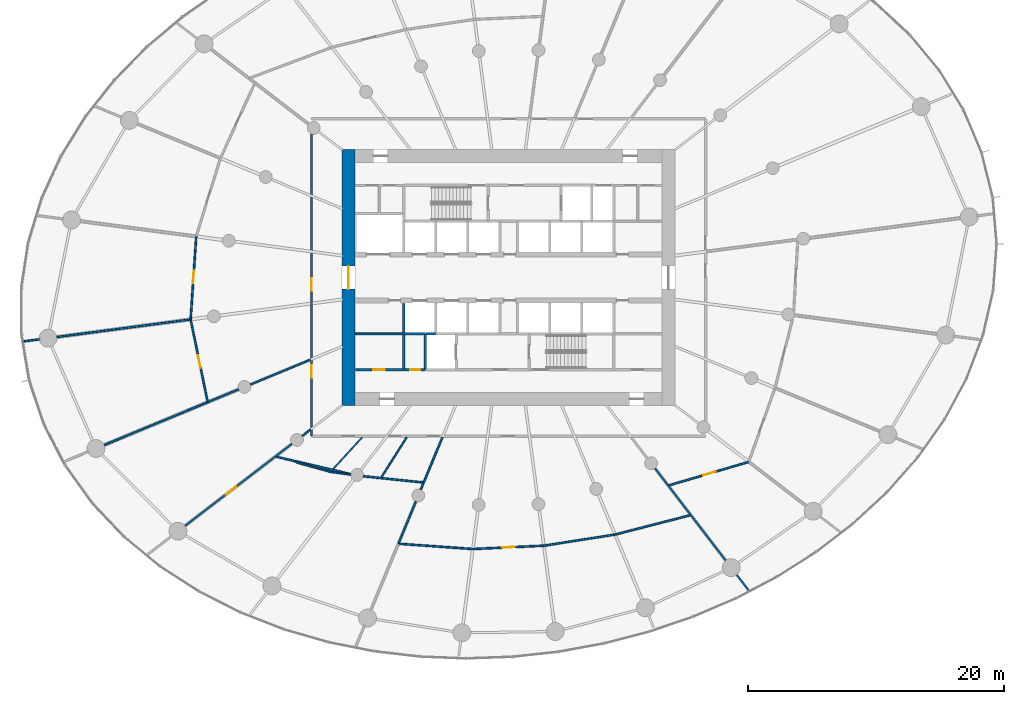
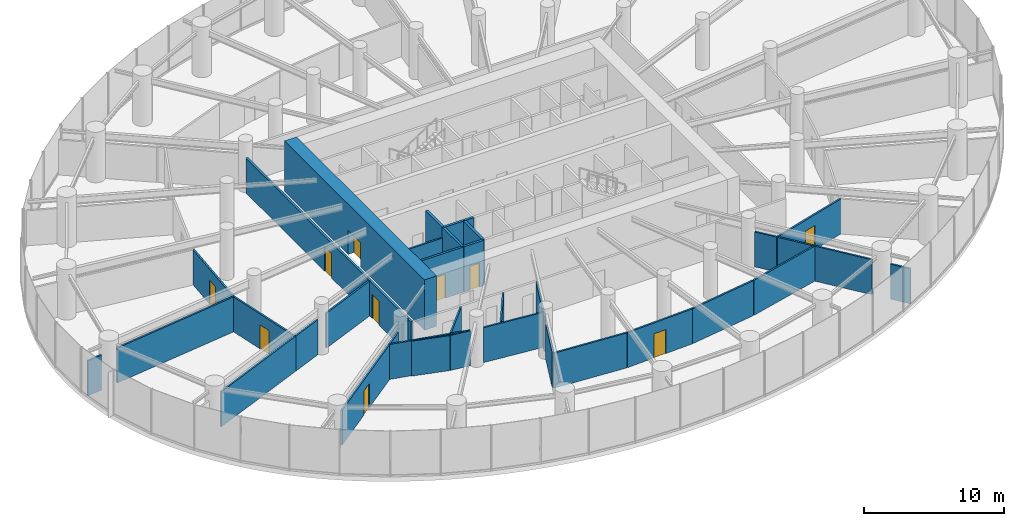
# One storey, part 12 of 19: 38 walls, 10 doors, 10 openings.
"""IFC4 building model written with IfcOpenShell, lengths in metres."""

from ifc_helpers import new_model, si_unit, direction, frame, frame_2d, origin, place, context, subcontext, project, spatial, rectangle, extrude, source, transform, mapped, material, layer, layer_set, type_object, element, fill, save


model = new_model("IFC4")

# Units and contexts
model_context = context("Model", 3, precision=1e-05, world=origin(), true_north=direction((0.0, 1.0)))
body_context = subcontext(model_context, "Body", "Model", "MODEL_VIEW")
ifc_project = project(units=[si_unit("LENGTHUNIT", "METRE"), si_unit("AREAUNIT", "SQUARE_METRE"), si_unit("VOLUMEUNIT", "CUBIC_METRE"), si_unit("PLANEANGLEUNIT", "RADIAN"), si_unit("MASSUNIT", "GRAM", prefix="KILO")], contexts=[model_context])

# Site, building, storey
site_placement = place(None, origin())
site = spatial("IfcSite", under=ifc_project, at=site_placement, CompositionType="ELEMENT")
building_placement = place(site_placement, origin())
building = spatial("IfcBuilding", under=site, at=building_placement, Name="Spindrift Exchange Tower", CompositionType="ELEMENT")
storey_placement = place(building_placement, frame((0.0, 0.0, 49.0)))
storey = spatial("IfcBuildingStorey", under=building, at=storey_placement, Name="L11", CompositionType="ELEMENT", Elevation=49.0)

# Wall, opening, door
ifc_material_1 = material(Name="Concrete 80 MPa", Category="concrete")
ifc_layer_1 = layer(ifc_material_1, 1.0)
ifc_layer_set_1 = layer_set([ifc_layer_1], Name="RC Core Wall 1000 Concrete 80 MPa")
wall_type_1 = type_object("IfcWallType", Name="RC Core Wall 1000 Concrete 80 MPa", PredefinedType="SHEAR", material=ifc_layer_set_1)
wall_1_placement = place(storey_placement, frame((39.5, 58.0, 0.0), z_axis=(0.0, 0.0, 1.0), x_axis=(0.0, -1.0, 0.0)))
wall_1 = element("IfcWall", 1, at=wall_1_placement, inside=storey, type_object=wall_type_1, Name="Core wall W L11", PredefinedType="SHEAR", context=body_context, shape_type="SweptSolid", body=[
    extrude(rectangle(XDim=20.0, YDim=1.0, at=frame_2d((10.0, 0.0))), origin(), (0.0, 0.0, 1.0), 4.39990234375),
])
opening_1_placement = place(wall_1_placement, frame((9.10009765625, 0.0, 0.0)))
opening_1 = element("IfcOpeningElement", 2, at=opening_1_placement, cuts=wall_1, Name="Opening L11-D1", PredefinedType="OPENING", context=body_context, shape_type="SweptSolid", body=[
    extrude(rectangle(XDim=1.800048828125, YDim=2.10009765625, at=frame_2d((0.89990234375, 1.050048828125))), frame((0.0, 0.510009765625, 0.0), z_axis=(0.0, -1.0, 0.0), x_axis=(1.0, 0.0, 0.0)), (0.0, 0.0, 1.0), 1.02001953125),
])
ifc_material_2 = material(Name="Timber-core fire door", Category="wood")
door_type_1 = type_object("IfcDoorType", Name="DR-LOBBY-1800", OperationType="NOTDEFINED", PredefinedType="DOOR", material=ifc_material_2)
shared_shape_1 = source(origin(), body_context, "Body", "SweptSolid", [
    extrude(rectangle(XDim=1.800048828125, YDim=2.10009765625, at=frame_2d((0.89990234375, 1.050048828125))), frame((0.0, 0.02490234375, 0.0), z_axis=(0.0, -1.0, 0.0), x_axis=(1.0, 0.0, 0.0)), (0.0, 0.0, 1.0), 0.050048828125),
])
door_1_placement = place(opening_1_placement, origin())
door_1 = element("IfcDoor", 3, at=door_1_placement, inside=storey, type_object=door_type_1, Name="L11 Lobby door 1", OperationType="SINGLE_SWING_RIGHT", OverallHeight=2.10009765625, OverallWidth=1.800048828125, PredefinedType="DOOR", context=body_context, shape_type="MappedRepresentation", body=[
    mapped(shared_shape_1, transform((0.0, 0.0, 0.0), scale=1.0)),
])
fill(opening_1, door_1)

# Wall, openings, doors
ifc_material_3 = material(Name="Fire-rated plasterboard partition", Category="gypsum")
ifc_layer_2 = layer(ifc_material_3, 0.179931640625)
ifc_layer_set_2 = layer_set([ifc_layer_2], Name="W-CORR-180")
wall_type_2 = type_object("IfcWallType", Name="W-CORR-180", PredefinedType="PARTITIONING", material=ifc_layer_set_2)
wall_2_placement = place(storey_placement, frame((36.60009765625, 35.6298828125, 0.0), z_axis=(0.0, 0.0, 1.0), x_axis=(0.0, 1.0, 0.0)))
wall_2 = element("IfcWall", 4, at=wall_2_placement, inside=storey, type_object=wall_type_2, Name="L11 Partition wall 60", PredefinedType="PARTITIONING", context=body_context, shape_type="SweptSolid", body=[
    extrude(rectangle(XDim=23.58251953125, YDim=0.179931640625, at=frame_2d((11.791259765625, 0.0))), origin(), (0.0, 0.0, 1.0), 3.050048828125),
])
opening_2_placement = place(wall_2_placement, frame((11.33251953125, 0.0, 0.0)))
opening_2 = element("IfcOpeningElement", 5, at=opening_2_placement, cuts=wall_2, Name="Opening L11-D40", PredefinedType="OPENING", context=body_context, shape_type="SweptSolid", body=[
    extrude(rectangle(XDim=1.0, YDim=2.10009765625, at=frame_2d((0.5, 1.050048828125))), frame((0.0, 0.099853515625, 0.0), z_axis=(0.0, -1.0, 0.0), x_axis=(1.0, 0.0, 0.0)), (0.0, 0.0, 1.0), 0.199951171875),
])
opening_3_placement = place(wall_2_placement, frame((4.532470703125, 0.0, 0.0)))
opening_3 = element("IfcOpeningElement", 6, at=opening_3_placement, cuts=wall_2, Name="Opening L11-D45", PredefinedType="OPENING", context=body_context, shape_type="SweptSolid", body=[
    extrude(rectangle(XDim=1.0, YDim=2.10009765625, at=frame_2d((0.5, 1.050048828125))), frame((0.0, 0.099853515625, 0.0), z_axis=(0.0, -1.0, 0.0), x_axis=(1.0, 0.0, 0.0)), (0.0, 0.0, 1.0), 0.199951171875),
])
door_type_2 = type_object("IfcDoorType", Name="DR-ROOM-1000", OperationType="NOTDEFINED", PredefinedType="DOOR", material=ifc_material_2)
shared_shape_2 = source(origin(), body_context, "Body", "SweptSolid", [
    extrude(rectangle(XDim=1.0, YDim=2.10009765625, at=frame_2d((0.5, 1.050048828125))), frame((0.0, 0.02490234375, 0.0), z_axis=(0.0, -1.0, 0.0), x_axis=(1.0, 0.0, 0.0)), (0.0, 0.0, 1.0), 0.050048828125),
])
door_2_placement = place(opening_2_placement, origin())
door_2 = element("IfcDoor", 7, at=door_2_placement, inside=storey, type_object=door_type_2, Name="L11 Door 40", OperationType="SINGLE_SWING_LEFT", OverallHeight=2.10009765625, OverallWidth=1.0, PredefinedType="DOOR", context=body_context, shape_type="MappedRepresentation", body=[
    mapped(shared_shape_2, transform((0.0, 0.0, 0.0), scale=1.0)),
])
fill(opening_2, door_2)
door_3_placement = place(opening_3_placement, origin())
door_3 = element("IfcDoor", 8, at=door_3_placement, inside=storey, type_object=door_type_2, Name="L11 Door 45", OperationType="SINGLE_SWING_RIGHT", OverallHeight=2.10009765625, OverallWidth=1.0, PredefinedType="DOOR", context=body_context, shape_type="MappedRepresentation", body=[
    mapped(shared_shape_2, transform((0.0, 0.0, 0.0), scale=1.0)),
])
fill(opening_3, door_3)

# Wall, opening, door
wall_3_placement = place(storey_placement, frame((40.02001953125, 40.800048828125, 0.0), z_axis=(0.0, 0.0, 1.0), x_axis=(1.0, 0.0, 0.0)))
wall_3 = element("IfcWall", 9, at=wall_3_placement, inside=storey, type_object=wall_type_2, Name="L11 Partition wall 61", PredefinedType="PARTITIONING", context=body_context, shape_type="SweptSolid", body=[
    extrude(rectangle(XDim=3.75, YDim=0.179931640625, at=frame_2d((1.875, 0.0))), origin(), (0.0, 0.0, 1.0), 3.949951171875),
])
opening_4_placement = place(wall_3_placement, frame((1.39990234375, 0.0, 0.0)))
opening_4 = element("IfcOpeningElement", 10, at=opening_4_placement, cuts=wall_3, Name="Opening L11-D48", PredefinedType="OPENING", context=body_context, shape_type="SweptSolid", body=[
    extrude(rectangle(XDim=0.89990234375, YDim=2.10009765625, at=frame_2d((0.449951171875, 1.050048828125))), frame((0.0, 0.099853515625, 0.0), z_axis=(0.0, -1.0, 0.0), x_axis=(1.0, 0.0, 0.0)), (0.0, 0.0, 1.0), 0.199951171875),
])
ifc_material_4 = material(Name="Steel access door", Category="steel")
door_type_3 = type_object("IfcDoorType", Name="DR-RISER-900", OperationType="NOTDEFINED", PredefinedType="DOOR", material=ifc_material_4)
shared_shape_3 = source(origin(), body_context, "Body", "SweptSolid", [
    extrude(rectangle(XDim=0.89990234375, YDim=2.10009765625, at=frame_2d((0.449951171875, 1.050048828125))), frame((0.0, 0.02490234375, 0.0), z_axis=(0.0, -1.0, 0.0), x_axis=(1.0, 0.0, 0.0)), (0.0, 0.0, 1.0), 0.050048828125),
])
door_4_placement = place(opening_4_placement, origin())
door_4 = element("IfcDoor", 11, at=door_4_placement, inside=storey, type_object=door_type_3, Name="L11 Riser door 48", OperationType="SINGLE_SWING_LEFT", OverallHeight=2.10009765625, OverallWidth=0.89990234375, PredefinedType="DOOR", context=body_context, shape_type="MappedRepresentation", body=[
    mapped(shared_shape_3, transform((0.0, 0.0, 0.0), scale=1.0)),
])
fill(opening_4, door_4)

# Wall
ifc_layer_3 = layer(ifc_material_3, 0.139892578125)
ifc_layer_set_3 = layer_set([ifc_layer_3], Name="W-PART-140")
wall_type_3 = type_object("IfcWallType", Name="W-PART-140", PredefinedType="PARTITIONING", material=ifc_layer_set_3)
wall_4_placement = place(storey_placement, frame((27.150634765625, 44.728515625, 0.0), z_axis=(0.0, 0.0, 1.0), x_axis=(-0.991445773007, -0.130519267494, 0.0)))
element("IfcWall", 12, at=wall_4_placement, inside=storey, type_object=wall_type_3, Name="L11 Partition wall 67", PredefinedType="PARTITIONING", context=body_context, shape_type="SweptSolid", body=[
    extrude(rectangle(XDim=10.532958984375, YDim=0.139892578125, at=frame_2d((5.2666015625, 0.0))), origin(), (0.0, 0.0, 1.0), 3.050048828125),
])

# Wall, opening, door
wall_5_placement = place(storey_placement, frame((33.775634765625, 34.015869140625, 0.0), z_axis=(0.0, 0.0, 1.0), x_axis=(-0.793363616038, -0.608748037161, 0.0)))
wall_5 = element("IfcWall", 13, at=wall_5_placement, inside=storey, type_object=wall_type_3, Name="L11 Partition wall 71", PredefinedType="PARTITIONING", context=body_context, shape_type="SweptSolid", body=[
    extrude(rectangle(XDim=8.889404296875, YDim=0.139892578125, at=frame_2d((4.44482421875, 0.0))), origin(), (0.0, 0.0, 1.0), 3.050048828125),
])
opening_5_placement = place(wall_5_placement, frame((3.85009765625, 0.0, 0.0)))
opening_5 = element("IfcOpeningElement", 14, at=opening_5_placement, cuts=wall_5, Name="Opening L11-D29", PredefinedType="OPENING", context=body_context, shape_type="SweptSolid", body=[
    extrude(rectangle(XDim=1.0, YDim=2.10009765625, at=frame_2d((0.5, 1.050048828125))), frame((0.0, 0.079833984375, 0.0), z_axis=(0.0, -1.0, 0.0), x_axis=(1.0, 0.0, 0.0)), (0.0, 0.0, 1.0), 0.159912109375),
])
door_5_placement = place(opening_5_placement, origin())
door_5 = element("IfcDoor", 15, at=door_5_placement, inside=storey, type_object=door_type_2, Name="L11 Door 29", OperationType="SINGLE_SWING_RIGHT", OverallHeight=2.10009765625, OverallWidth=1.0, PredefinedType="DOOR", context=body_context, shape_type="MappedRepresentation", body=[
    mapped(shared_shape_2, transform((0.0, 0.0, 0.0), scale=1.0)),
])
fill(opening_5, door_5)

# Wall
wall_6_placement = place(storey_placement, frame((28.489013671875, 38.261474609375, 0.0), z_axis=(0.0, 0.0, 1.0), x_axis=(-0.923879491354, -0.382683531727, 0.0)))
element("IfcWall", 16, at=wall_6_placement, inside=storey, type_object=wall_type_3, Name="L11 Partition wall 73", PredefinedType="PARTITIONING", context=body_context, shape_type="SweptSolid", body=[
    extrude(rectangle(XDim=8.7529296875, YDim=0.139892578125, at=frame_2d((4.37646484375, 0.0))), origin(), (0.0, 0.0, 1.0), 3.050048828125),
])

# Wall, opening, door
wall_7_placement = place(storey_placement, frame((28.48291015625, 38.290771484375, 0.0), z_axis=(0.0, 0.0, 1.0), x_axis=(-0.202647546794, 0.979251740758, 0.0)))
wall_7 = element("IfcWall", 17, at=wall_7_placement, inside=storey, type_object=wall_type_3, Name="L11 Partition wall 78", PredefinedType="PARTITIONING", context=body_context, shape_type="SweptSolid", body=[
    extrude(rectangle(XDim=6.544189453125, YDim=0.139892578125, at=frame_2d((3.27197265625, 0.0))), origin(), (0.0, 0.0, 1.0), 3.050048828125),
])
opening_6_placement = place(wall_7_placement, frame((2.694091796875, 0.0, 0.0)))
opening_6 = element("IfcOpeningElement", 18, at=opening_6_placement, cuts=wall_7, Name="Opening L11-D44", PredefinedType="OPENING", context=body_context, shape_type="SweptSolid", body=[
    extrude(rectangle(XDim=1.0, YDim=2.10009765625, at=frame_2d((0.5, 1.050048828125))), frame((0.0, 0.079833984375, 0.0), z_axis=(0.0, -1.0, 0.0), x_axis=(1.0, 0.0, 0.0)), (0.0, 0.0, 1.0), 0.159912109375),
])
door_6_placement = place(opening_6_placement, origin())
door_6 = element("IfcDoor", 19, at=door_6_placement, inside=storey, type_object=door_type_2, Name="L11 Door 44", OperationType="SINGLE_SWING_LEFT", OverallHeight=2.10009765625, OverallWidth=1.0, PredefinedType="DOOR", context=body_context, shape_type="MappedRepresentation", body=[
    mapped(shared_shape_2, transform((0.0, 0.0, 0.0), scale=1.0)),
])
fill(opening_6, door_6)

wall_8_placement = place(storey_placement, frame((70.768798828125, 33.59814453125, 0.0), z_axis=(0.0, 0.0, 1.0), x_axis=(-0.959164410747, -0.282849134974, 0.0)))
wall_8 = element("IfcWall", 20, at=wall_8_placement, inside=storey, type_object=wall_type_3, Name="L11 Partition wall 79", PredefinedType="PARTITIONING", context=body_context, shape_type="SweptSolid", body=[
    extrude(rectangle(XDim=6.561767578125, YDim=0.139892578125, at=frame_2d((3.28076171875, 0.0))), origin(), (0.0, 0.0, 1.0), 3.050048828125),
])
opening_7_placement = place(wall_8_placement, frame((2.7119140625, 0.0, 0.0)))
opening_7 = element("IfcOpeningElement", 21, at=opening_7_placement, cuts=wall_8, Name="Opening L11-D31", PredefinedType="OPENING", context=body_context, shape_type="SweptSolid", body=[
    extrude(rectangle(XDim=1.0, YDim=2.10009765625, at=frame_2d((0.5, 1.050048828125))), frame((0.0, 0.079833984375, 0.0), z_axis=(0.0, -1.0, 0.0), x_axis=(1.0, 0.0, 0.0)), (0.0, 0.0, 1.0), 0.159912109375),
])
door_7_placement = place(opening_7_placement, origin())
door_7 = element("IfcDoor", 22, at=door_7_placement, inside=storey, type_object=door_type_2, Name="L11 Door 31", OperationType="SINGLE_SWING_RIGHT", OverallHeight=2.10009765625, OverallWidth=1.0, PredefinedType="DOOR", context=body_context, shape_type="MappedRepresentation", body=[
    mapped(shared_shape_2, transform((0.0, 0.0, 0.0), scale=1.0)),
])
fill(opening_7, door_7)

wall_9_placement = place(storey_placement, frame((27.15283203125, 44.758544921875, 0.0), z_axis=(0.0, 0.0, 1.0), x_axis=(0.067555628739, 0.997715509063, 0.0)))
wall_9 = element("IfcWall", 23, at=wall_9_placement, inside=storey, type_object=wall_type_3, Name="L11 Partition wall 80", PredefinedType="PARTITIONING", context=body_context, shape_type="SweptSolid", body=[
    extrude(rectangle(XDim=6.43994140625, YDim=0.139892578125, at=frame_2d((3.219970703125, 0.0))), origin(), (0.0, 0.0, 1.0), 3.050048828125),
])
opening_8_placement = place(wall_9_placement, frame((2.7900390625, 0.0, 0.0)))
opening_8 = element("IfcOpeningElement", 24, at=opening_8_placement, cuts=wall_9, Name="Opening L11-D43", PredefinedType="OPENING", context=body_context, shape_type="SweptSolid", body=[
    extrude(rectangle(XDim=1.0, YDim=2.10009765625, at=frame_2d((0.5, 1.050048828125))), frame((0.0, 0.079833984375, 0.0), z_axis=(0.0, -1.0, 0.0), x_axis=(1.0, 0.0, 0.0)), (0.0, 0.0, 1.0), 0.159912109375),
])
door_8_placement = place(opening_8_placement, origin())
door_8 = element("IfcDoor", 25, at=door_8_placement, inside=storey, type_object=door_type_2, Name="L11 Door 43", OperationType="SINGLE_SWING_RIGHT", OverallHeight=2.10009765625, OverallWidth=1.0, PredefinedType="DOOR", context=body_context, shape_type="MappedRepresentation", body=[
    mapped(shared_shape_2, transform((0.0, 0.0, 0.0), scale=1.0)),
])
fill(opening_8, door_8)

# Walls
wall_10_placement = place(storey_placement, frame((60.319091796875, 27.91552734375, 0.0), z_axis=(0.0, 0.0, 1.0), x_axis=(0.968340865999, 0.24963166313, 0.0)))
element("IfcWall", 26, at=wall_10_placement, inside=storey, type_object=wall_type_3, Name="L11 Partition wall 84", PredefinedType="PARTITIONING", context=body_context, shape_type="SweptSolid", body=[
    extrude(rectangle(XDim=6.114501953125, YDim=0.139892578125, at=frame_2d((3.05712890625, 0.0))), origin(), (0.0, 0.0, 1.0), 3.050048828125),
])
wall_11_placement = place(storey_placement, frame((33.8046875, 34.009033203125, 0.0), z_axis=(0.0, 0.0, 1.0), x_axis=(0.973632222489, -0.22812342127, 0.0)))
element("IfcWall", 27, at=wall_11_placement, inside=storey, type_object=wall_type_3, Name="L11 Partition wall 85", PredefinedType="PARTITIONING", context=body_context, shape_type="SweptSolid", body=[
    extrude(rectangle(XDim=6.017822265625, YDim=0.139892578125, at=frame_2d((3.0087890625, 0.0))), origin(), (0.0, 0.0, 1.0), 3.050048828125),
])
wall_12_placement = place(storey_placement, frame((43.3837890625, 27.198974609375, 0.0), z_axis=(0.0, 0.0, 1.0), x_axis=(0.997508340925, -0.070548634182, 0.0)))
element("IfcWall", 28, at=wall_12_placement, inside=storey, type_object=wall_type_3, Name="L11 Partition wall 87", PredefinedType="PARTITIONING", context=body_context, shape_type="SweptSolid", body=[
    extrude(rectangle(XDim=5.838134765625, YDim=0.139892578125, at=frame_2d((2.9189453125, 0.0))), origin(), (0.0, 0.0, 1.0), 3.050048828125),
])
wall_13_placement = place(storey_placement, frame((54.758544921875, 27.047119140625, 0.0), z_axis=(0.0, 0.0, 1.0), x_axis=(0.98802429514, 0.154298386943, 0.0)))
element("IfcWall", 29, at=wall_13_placement, inside=storey, type_object=wall_type_3, Name="L11 Partition wall 89", PredefinedType="PARTITIONING", context=body_context, shape_type="SweptSolid", body=[
    extrude(rectangle(XDim=5.59814453125, YDim=0.139892578125, at=frame_2d((2.799072265625, 0.0))), origin(), (0.0, 0.0, 1.0), 3.050048828125),
])

# Wall, opening, door
wall_14_placement = place(storey_placement, frame((54.728515625, 27.045654296875, 0.0), z_axis=(0.0, 0.0, 1.0), x_axis=(-0.998905899041, -0.046765423781, 0.0)))
wall_14 = element("IfcWall", 30, at=wall_14_placement, inside=storey, type_object=wall_type_3, Name="L11 Partition wall 91", PredefinedType="PARTITIONING", context=body_context, shape_type="SweptSolid", body=[
    extrude(rectangle(XDim=5.497314453125, YDim=0.139892578125, at=frame_2d((2.74853515625, 0.0))), origin(), (0.0, 0.0, 1.0), 3.050048828125),
])
opening_9_placement = place(wall_14_placement, frame((2.247314453125, 0.0, 0.0)))
opening_9 = element("IfcOpeningElement", 31, at=opening_9_placement, cuts=wall_14, Name="Opening L11-D28", PredefinedType="OPENING", context=body_context, shape_type="SweptSolid", body=[
    extrude(rectangle(XDim=1.0, YDim=2.10009765625, at=frame_2d((0.5, 1.050048828125))), frame((0.0, 0.079833984375, 0.0), z_axis=(0.0, -1.0, 0.0), x_axis=(1.0, 0.0, 0.0)), (0.0, 0.0, 1.0), 0.159912109375),
])
door_9_placement = place(opening_9_placement, origin())
door_9 = element("IfcDoor", 32, at=door_9_placement, inside=storey, type_object=door_type_2, Name="L11 Door 28", OperationType="SINGLE_SWING_LEFT", OverallHeight=2.10009765625, OverallWidth=1.0, PredefinedType="DOOR", context=body_context, shape_type="MappedRepresentation", body=[
    mapped(shared_shape_2, transform((0.0, 0.0, 0.0), scale=1.0)),
])
fill(opening_9, door_9)

# Walls
wall_15_placement = place(storey_placement, frame((36.510009765625, 41.583740234375, 0.0), z_axis=(0.0, 0.0, 1.0), x_axis=(-0.923890025086, -0.382658100067, 0.0)))
element("IfcWall", 33, at=wall_15_placement, inside=storey, type_object=wall_type_3, Name="L11 Partition wall 97", PredefinedType="PARTITIONING", context=body_context, shape_type="SweptSolid", body=[
    extrude(rectangle(XDim=5.068359375, YDim=0.139892578125, at=frame_2d((2.5341796875, 0.0))), origin(), (0.0, 0.0, 1.0), 3.050048828125),
])
wall_16_placement = place(storey_placement, frame((40.65869140625, 32.47216796875, 0.0), z_axis=(0.0, 0.0, 1.0), x_axis=(0.994613201527, -0.103656062762, 0.0)))
element("IfcWall", 34, at=wall_16_placement, inside=storey, type_object=wall_type_3, Name="L11 Partition wall 99", PredefinedType="PARTITIONING", context=body_context, shape_type="SweptSolid", body=[
    extrude(rectangle(XDim=4.731689453125, YDim=0.139892578125, at=frame_2d((2.36572265625, 0.0))), origin(), (0.0, 0.0, 1.0), 3.050048828125),
])
wall_17_placement = place(storey_placement, frame((66.25830078125, 29.418212890625, 0.0), z_axis=(0.0, 0.0, 1.0), x_axis=(0.608774632027, -0.793343209085, 0.0)))
element("IfcWall", 35, at=wall_17_placement, inside=storey, type_object=wall_type_3, Name="L11 Partition wall 101", PredefinedType="PARTITIONING", context=body_context, shape_type="SweptSolid", body=[
    extrude(rectangle(XDim=4.451171875, YDim=0.139892578125, at=frame_2d((2.2255859375, 0.0))), origin(), (0.0, 0.0, 1.0), 3.050048828125),
])
wall_18_placement = place(storey_placement, frame((46.826416015625, 35.510009765625, 0.0), z_axis=(0.0, 0.0, 1.0), x_axis=(-0.382683759209, -0.923879397128, 0.0)))
element("IfcWall", 36, at=wall_18_placement, inside=storey, type_object=wall_type_3, Name="L11 Partition wall 102", PredefinedType="PARTITIONING", context=body_context, shape_type="SweptSolid", body=[
    extrude(rectangle(XDim=3.788818359375, YDim=0.139892578125, at=frame_2d((1.89453125, 0.0))), origin(), (0.0, 0.0, 1.0), 3.050048828125),
])
wall_19_placement = place(storey_placement, frame((43.77001953125, 43.60009765625, 0.0), z_axis=(0.0, 0.0, 1.0), x_axis=(-1.0, 0.0, 0.0)))
element("IfcWall", 37, at=wall_19_placement, inside=storey, type_object=wall_type_3, Name="L11 Partition wall 103", PredefinedType="PARTITIONING", context=body_context, shape_type="SweptSolid", body=[
    extrude(rectangle(XDim=3.75, YDim=0.139892578125, at=frame_2d((1.875, 0.0))), origin(), (0.0, 0.0, 1.0), 3.050048828125),
])
wall_20_placement = place(storey_placement, frame((44.752197265625, 30.502197265625, 0.0), z_axis=(0.0, 0.0, 1.0), x_axis=(-0.382698672088, -0.923873219864, 0.0)))
element("IfcWall", 38, at=wall_20_placement, inside=storey, type_object=wall_type_3, Name="L11 Partition wall 106", PredefinedType="PARTITIONING", context=body_context, shape_type="SweptSolid", body=[
    extrude(rectangle(XDim=3.501708984375, YDim=0.139892578125, at=frame_2d((1.7509765625, 0.0))), origin(), (0.0, 0.0, 1.0), 3.050048828125),
])
wall_21_placement = place(storey_placement, frame((64.520751953125, 31.6826171875, 0.0), z_axis=(0.0, 0.0, 1.0), x_axis=(0.608761578312, -0.793353225727, 0.0)))
element("IfcWall", 39, at=wall_21_placement, inside=storey, type_object=wall_type_3, Name="L11 Partition wall 108", PredefinedType="PARTITIONING", context=body_context, shape_type="SweptSolid", body=[
    extrude(rectangle(XDim=2.748291015625, YDim=0.139892578125, at=frame_2d((1.3740234375, 0.0))), origin(), (0.0, 0.0, 1.0), 3.050048828125),
])
wall_22_placement = place(storey_placement, frame((30.89404296875, 39.2578125, 0.0), z_axis=(0.0, 0.0, 1.0), x_axis=(-0.923866506459, -0.382714878523, 0.0)))
element("IfcWall", 40, at=wall_22_placement, inside=storey, type_object=wall_type_3, Name="L11 Partition wall 110", PredefinedType="PARTITIONING", context=body_context, shape_type="SweptSolid", body=[
    extrude(rectangle(XDim=2.5732421875, YDim=0.139892578125, at=frame_2d((1.28662109375, 0.0))), origin(), (0.0, 0.0, 1.0), 3.050048828125),
])
wall_23_placement = place(storey_placement, frame((63.44091796875, 33.08984375, 0.0), z_axis=(0.0, 0.0, 1.0), x_axis=(0.608812360851, -0.793314256317, 0.0)))
element("IfcWall", 41, at=wall_23_placement, inside=storey, type_object=wall_type_3, Name="L11 Partition wall 127", PredefinedType="PARTITIONING", context=body_context, shape_type="SweptSolid", body=[
    extrude(rectangle(XDim=1.668701171875, YDim=0.139892578125, at=frame_2d((0.83447265625, 0.0))), origin(), (0.0, 0.0, 1.0), 3.050048828125),
])
wall_24_placement = place(storey_placement, frame((35.06494140625, 35.00537109375, 0.0), z_axis=(0.0, 0.0, 1.0), x_axis=(-0.793286864057, -0.608848052732, 0.0)))
element("IfcWall", 42, at=wall_24_placement, inside=storey, type_object=wall_type_3, Name="L11 Partition wall 128", PredefinedType="PARTITIONING", context=body_context, shape_type="SweptSolid", body=[
    extrude(rectangle(XDim=1.587158203125, YDim=0.139892578125, at=frame_2d((0.79345703125, 0.0))), origin(), (0.0, 0.0, 1.0), 3.050048828125),
])
wall_25_placement = place(storey_placement, frame((69.8251953125, 24.76953125, 0.0), z_axis=(0.0, 0.0, 1.0), x_axis=(0.608816471317, -0.793311101809, 0.0)))
element("IfcWall", 43, at=wall_25_placement, inside=storey, type_object=wall_type_3, Name="L11 Partition wall 129", PredefinedType="PARTITIONING", context=body_context, shape_type="SweptSolid", body=[
    extrude(rectangle(XDim=1.544189453125, YDim=0.139892578125, at=frame_2d((0.77197265625, 0.0))), origin(), (0.0, 0.0, 1.0), 3.050048828125),
])
wall_26_placement = place(storey_placement, frame((15.311279296875, 43.169921875, 0.0), z_axis=(0.0, 0.0, 1.0), x_axis=(-0.991424298155, -0.130682290411, 0.0)))
element("IfcWall", 44, at=wall_26_placement, inside=storey, type_object=wall_type_3, Name="L11 Partition wall 131", PredefinedType="PARTITIONING", context=body_context, shape_type="SweptSolid", body=[
    extrude(rectangle(XDim=1.219970703125, YDim=0.139892578125, at=frame_2d((0.60986328125, 0.0))), origin(), (0.0, 0.0, 1.0), 3.050048828125),
])
wall_27_placement = place(storey_placement, frame((36.510009765625, 36.114013671875, 0.0), z_axis=(0.0, 0.0, 1.0), x_axis=(-0.793316076519, -0.608809989025, 0.0)))
element("IfcWall", 45, at=wall_27_placement, inside=storey, type_object=wall_type_3, Name="L11 Partition wall 133", PredefinedType="PARTITIONING", context=body_context, shape_type="SweptSolid", body=[
    extrude(rectangle(XDim=0.8125, YDim=0.139892578125, at=frame_2d((0.40625, 0.0))), origin(), (0.0, 0.0, 1.0), 3.050048828125),
])
wall_28_placement = place(storey_placement, frame((45.337158203125, 31.914306640625, 0.0), z_axis=(0.0, 0.0, 1.0), x_axis=(-0.382809221062, -0.923827419094, 0.0)))
element("IfcWall", 46, at=wall_28_placement, inside=storey, type_object=wall_type_3, Name="L11 Partition wall 134", PredefinedType="PARTITIONING", context=body_context, shape_type="SweptSolid", body=[
    extrude(rectangle(XDim=0.5185546875, YDim=0.139892578125, at=frame_2d((0.25927734375, 0.0))), origin(), (0.0, 0.0, 1.0), 3.050048828125),
])
ifc_material_5 = material(Name="Concrete 40 MPa", Category="concrete")
ifc_layer_4 = layer(ifc_material_5, 0.199951171875)
ifc_layer_set_4 = layer_set([ifc_layer_4], Name="W-SHAFT-200")
wall_type_4 = type_object("IfcWallType", Name="W-SHAFT-200", PredefinedType="SOLIDWALL", material=ifc_layer_set_4)
for number, where, z_axis, x_axis, name in (
    (47, (43.800048828125, 43.60009765625, 0.0), (0.0, 0.0, 1.0), (0.0, -1.0, 0.0), "L11 Shaft wall 6"),
    (48, (45.5, 43.60009765625, 0.0), (0.0, 0.0, 1.0), (0.0, -1.0, 0.0), "L11 Shaft wall 7"),
):
    element("IfcWall", number, at=place(storey_placement, frame(where, z_axis=z_axis, x_axis=x_axis)), inside=storey, type_object=wall_type_4, Name=name, PredefinedType="SOLIDWALL", context=body_context, shape_type="SweptSolid", body=[
        extrude(rectangle(XDim=2.800048828125, YDim=0.199951171875, at=frame_2d((1.39990234375, 0.0))), origin(), (0.0, 0.0, 1.0), 3.949951171875),
    ])
wall_29_placement = place(storey_placement, frame((43.800048828125, 45.989990234375, 0.0), z_axis=(0.0, 0.0, 1.0), x_axis=(0.0, -1.0, 0.0)))
element("IfcWall", 49, at=wall_29_placement, inside=storey, type_object=wall_type_4, Name="L11 Shaft wall 23", PredefinedType="SOLIDWALL", context=body_context, shape_type="SweptSolid", body=[
    extrude(rectangle(XDim=2.360107421875, YDim=0.199951171875, at=frame_2d((1.18017578125, 0.0))), origin(), (0.0, 0.0, 1.0), 3.949951171875),
])
wall_30_placement = place(storey_placement, frame((43.830078125, 43.60009765625, 0.0), z_axis=(0.0, 0.0, 1.0), x_axis=(1.0, 0.0, 0.0)))
element("IfcWall", 50, at=wall_30_placement, inside=storey, type_object=wall_type_4, Name="L11 Shaft wall 40", PredefinedType="SOLIDWALL", context=body_context, shape_type="SweptSolid", body=[
    extrude(rectangle(XDim=1.639892578125, YDim=0.199951171875, at=frame_2d((0.81982421875, 0.0))), origin(), (0.0, 0.0, 1.0), 3.949951171875),
])

# Wall, opening, door
wall_31_placement = place(storey_placement, frame((43.830078125, 40.800048828125, 0.0), z_axis=(0.0, 0.0, 1.0), x_axis=(1.0, 0.0, 0.0)))
wall_31 = element("IfcWall", 51, at=wall_31_placement, inside=storey, type_object=wall_type_4, Name="L11 Shaft wall 41", PredefinedType="SOLIDWALL", context=body_context, shape_type="SweptSolid", body=[
    extrude(rectangle(XDim=1.639892578125, YDim=0.199951171875, at=frame_2d((0.81982421875, 0.0))), origin(), (0.0, 0.0, 1.0), 3.949951171875),
])
opening_10_placement = place(wall_31_placement, frame((0.469970703125, 0.0, 0.0)))
opening_10 = element("IfcOpeningElement", 52, at=opening_10_placement, cuts=wall_31, Name="Opening L11-D19", PredefinedType="OPENING", context=body_context, shape_type="SweptSolid", body=[
    extrude(rectangle(XDim=0.800048828125, YDim=2.10009765625, at=frame_2d((0.39990234375, 1.050048828125))), frame((0.0, 0.10986328125, 0.0), z_axis=(0.0, -1.0, 0.0), x_axis=(1.0, 0.0, 0.0)), (0.0, 0.0, 1.0), 0.219970703125),
])
door_type_4 = type_object("IfcDoorType", Name="DR-RISER-800", OperationType="NOTDEFINED", PredefinedType="DOOR", material=ifc_material_4)
shared_shape_4 = source(origin(), body_context, "Body", "SweptSolid", [
    extrude(rectangle(XDim=0.800048828125, YDim=2.10009765625, at=frame_2d((0.39990234375, 1.050048828125))), frame((0.0, 0.02490234375, 0.0), z_axis=(0.0, -1.0, 0.0), x_axis=(1.0, 0.0, 0.0)), (0.0, 0.0, 1.0), 0.050048828125),
])
door_10_placement = place(opening_10_placement, origin())
door_10 = element("IfcDoor", 53, at=door_10_placement, inside=storey, type_object=door_type_4, Name="L11 Riser door 19", OperationType="SINGLE_SWING_RIGHT", OverallHeight=2.10009765625, OverallWidth=0.800048828125, PredefinedType="DOOR", context=body_context, shape_type="MappedRepresentation", body=[
    mapped(shared_shape_4, transform((0.0, 0.0, 0.0), scale=1.0)),
])
fill(opening_10, door_10)

# Walls
wall_32_placement = place(storey_placement, frame((45.530029296875, 43.60009765625, 0.0), z_axis=(0.0, 0.0, 1.0), x_axis=(1.0, 0.0, 0.0)))
element("IfcWall", 54, at=wall_32_placement, inside=storey, type_object=wall_type_4, Name="L11 Shaft wall 54", PredefinedType="SOLIDWALL", context=body_context, shape_type="SweptSolid", body=[
    extrude(rectangle(XDim=0.739990234375, YDim=0.199951171875, at=frame_2d((0.3701171875, 0.0))), origin(), (0.0, 0.0, 1.0), 3.949951171875),
])
ifc_layer_5 = layer(ifc_material_3, 0.1201171875)
ifc_layer_set_5 = layer_set([ifc_layer_5], Name="W-WET-120")
wall_type_5 = type_object("IfcWallType", Name="W-WET-120", PredefinedType="PARTITIONING", material=ifc_layer_set_5)
wall_33_placement = place(storey_placement, frame((35.364013671875, 33.572021484375, 0.0), z_axis=(0.0, 0.0, 1.0), x_axis=(0.963049305084, -0.269325149172, 0.0)))
element("IfcWall", 55, at=wall_33_placement, inside=storey, type_object=wall_type_5, Name="L11 Partition wall 136", PredefinedType="PARTITIONING", context=body_context, shape_type="SweptSolid", body=[
    extrude(rectangle(XDim=2.82275390625, YDim=0.1201171875, at=frame_2d((1.411376953125, 0.0))), origin(), (0.0, 0.0, 1.0), 3.050048828125),
])
wall_34_placement = place(storey_placement, frame((44.04296875, 35.510009765625, 0.0), z_axis=(0.0, 0.0, 1.0), x_axis=(-0.537273404115, -0.843408139177, 0.0)))
element("IfcWall", 56, at=wall_34_placement, inside=storey, type_object=wall_type_5, Name="L11 Partition wall 137", PredefinedType="PARTITIONING", context=body_context, shape_type="SweptSolid", body=[
    extrude(rectangle(XDim=3.691650390625, YDim=0.1201171875, at=frame_2d((1.845703125, 0.0))), origin(), (0.0, 0.0, 1.0), 3.050048828125),
])
wall_35_placement = place(storey_placement, frame((40.554931640625, 35.510009765625, 0.0), z_axis=(0.0, 0.0, 1.0), x_axis=(-0.675566754316, -0.737298827114, 0.0)))
element("IfcWall", 57, at=wall_35_placement, inside=storey, type_object=wall_type_5, Name="L11 Partition wall 138", PredefinedType="PARTITIONING", context=body_context, shape_type="SweptSolid", body=[
    extrude(rectangle(XDim=3.361572265625, YDim=0.1201171875, at=frame_2d((1.6806640625, 0.0))), origin(), (0.0, 0.0, 1.0), 3.050048828125),
])
wall_36_placement = place(storey_placement, frame((38.1123046875, 32.8076171875, 0.0), z_axis=(0.0, 0.0, 1.0), x_axis=(0.990488726007, -0.137593908485, 0.0)))
element("IfcWall", 58, at=wall_36_placement, inside=storey, type_object=wall_type_5, Name="L11 Partition wall 139", PredefinedType="PARTITIONING", context=body_context, shape_type="SweptSolid", body=[
    extrude(rectangle(XDim=1.563232421875, YDim=0.1201171875, at=frame_2d((0.78173828125, 0.0))), origin(), (0.0, 0.0, 1.0), 3.050048828125),
])

save(model, "model.ifc")
